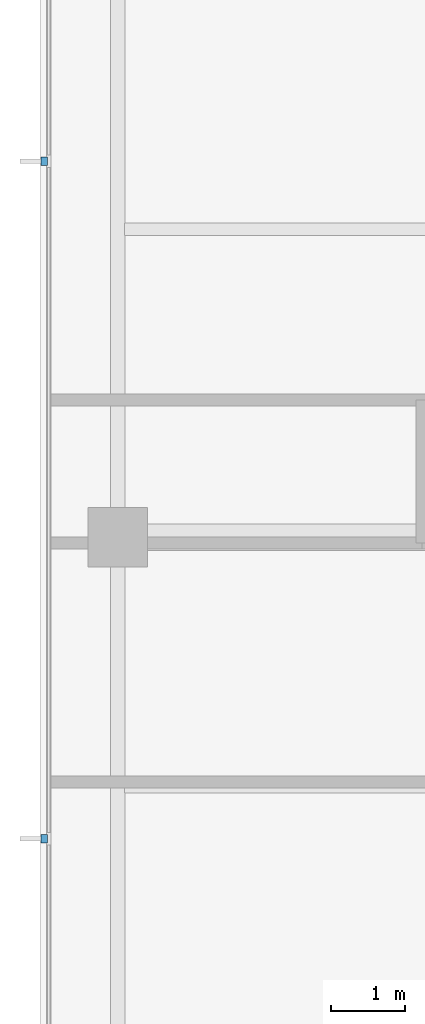
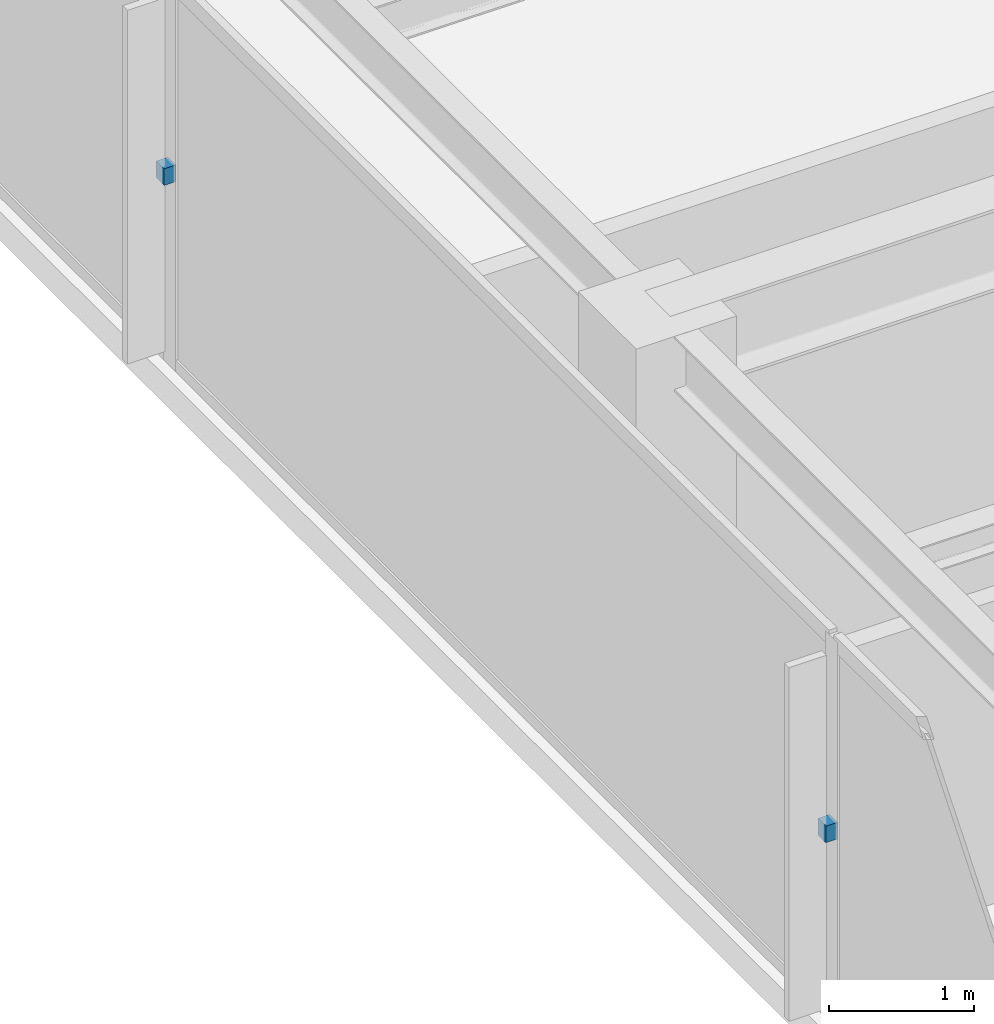
# One storey, part 9 of 11: 2 discrete accessories.
"""IFC4 building model written with IfcOpenShell, lengths in metres."""

from ifc_helpers import new_model, si_unit, direction, frame, origin, place, context, subcontext, project, spatial, polyline, outline, extrude, material, type_object, element, save


model = new_model("IFC4")

# Units and contexts
model_context = context("Model", 3, precision=1e-05, world=origin(), true_north=direction((0.0, 1.0)))
body_context = subcontext(model_context, "Body", "Model", "MODEL_VIEW")
ifc_project = project(units=[si_unit("LENGTHUNIT", "METRE"), si_unit("AREAUNIT", "SQUARE_METRE"), si_unit("VOLUMEUNIT", "CUBIC_METRE"), si_unit("PLANEANGLEUNIT", "RADIAN"), si_unit("MASSUNIT", "GRAM", prefix="KILO")], contexts=[model_context])

# Site, building, storey
site_placement = place(None, origin())
site = spatial("IfcSite", under=ifc_project, at=site_placement, CompositionType="ELEMENT")
building_placement = place(site_placement, origin())
building = spatial("IfcBuilding", under=site, at=building_placement, Name="Qalmaran Belvedere Hotel", CompositionType="ELEMENT")
storey_placement = place(building_placement, frame((0.0, 0.0, 273.89990234375)))
storey = spatial("IfcBuildingStorey", under=building, at=storey_placement, Name="L71", CompositionType="ELEMENT", Elevation=273.89990234375)

# Discrete accessories
ifc_material = material(Name="Stainless Steel 1.4401", Category="steel")
discrete_accessory_type = type_object("IfcDiscreteAccessoryType", Name="BRK-FIN-SS316", PredefinedType="BRACKET", material=ifc_material)
discrete_accessory_1_placement = place(storey_placement, frame((0.0, 0.0, 1.580078125)))
element("IfcDiscreteAccessory", 1, at=discrete_accessory_1_placement, inside=storey, type_object=discrete_accessory_type, Name="L71 Fin Bracket 1", PredefinedType="BRACKET", context=body_context, shape_type="SweptSolid", body=[
    extrude(outline(polyline([(11.455078125, 25.62158203125), (11.362548828125, 25.62158203125), (11.362548828125, 25.51171875), (11.455078125, 25.51171875), (11.455078125, 25.62158203125)])), origin(), (0.0, 0.0, 1.0), 0.14013671875),
])
discrete_accessory_2_placement = place(storey_placement, frame((0.0, 0.0, 1.580078125)))
element("IfcDiscreteAccessory", 2, at=discrete_accessory_2_placement, inside=storey, type_object=discrete_accessory_type, Name="L71 Fin Bracket 2", PredefinedType="BRACKET", context=body_context, shape_type="SweptSolid", body=[
    extrude(outline(polyline([(11.455078125, 16.48828125), (11.362548828125, 16.48828125), (11.362548828125, 16.37841796875), (11.455078125, 16.37841796875), (11.455078125, 16.48828125)])), origin(), (0.0, 0.0, 1.0), 0.14013671875),
])

save(model, "model.ifc")
